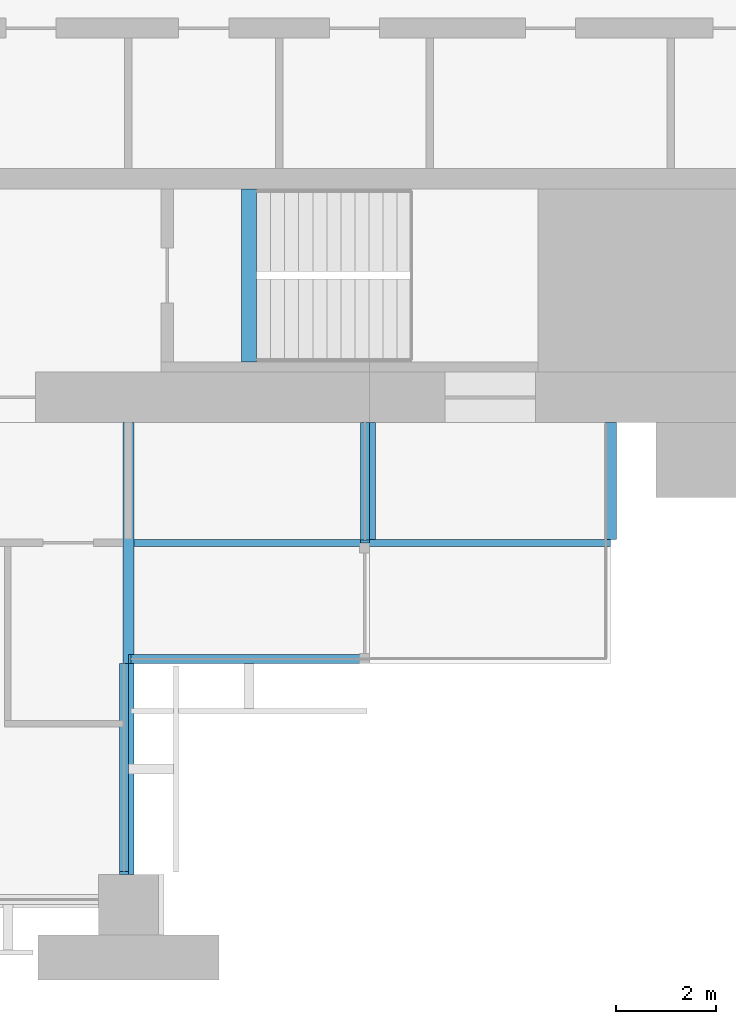
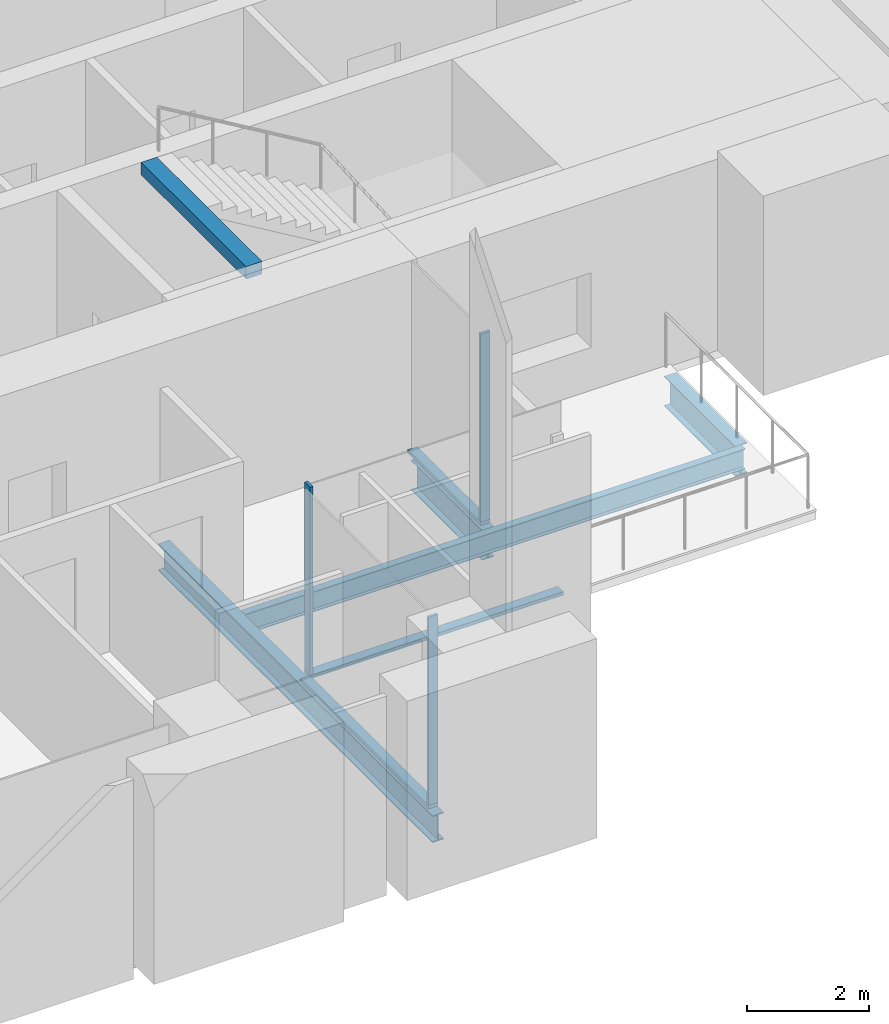
# One storey, part 4 of 14: 6 members, 5 beams, 3 elements without a shape of their own.
"""IFC4 building model written with IfcOpenShell, lengths in metres."""

from ifc_helpers import new_model, si_unit, direction, frame, origin, origin_2d, place, context, subcontext, project, spatial, rectangle, i_section, extrude, material, material_profile, profile_set, type_object, element, aggregate, save


model = new_model("IFC4")

# Units and contexts
model_context = context("Model", 3, precision=1e-05, world=origin(), true_north=direction((0.0, 1.0)))
body_context = subcontext(model_context, "Body", "Model", "MODEL_VIEW")
ifc_project = project(units=[si_unit("LENGTHUNIT", "METRE"), si_unit("AREAUNIT", "SQUARE_METRE"), si_unit("VOLUMEUNIT", "CUBIC_METRE"), si_unit("PLANEANGLEUNIT", "RADIAN"), si_unit("MASSUNIT", "GRAM", prefix="KILO")], contexts=[model_context])

# Site, building, storey
site_placement = place(None, origin())
site = spatial("IfcSite", under=ifc_project, at=site_placement, CompositionType="ELEMENT")
building_placement = place(site_placement, origin())
building = spatial("IfcBuilding", under=site, at=building_placement, Name="Baori Bourse Tower", CompositionType="ELEMENT")
storey_placement = place(building_placement, frame((0.0, 0.0, 120.10009765625)))
storey = spatial("IfcBuildingStorey", under=building, at=storey_placement, Name="L25", CompositionType="ELEMENT", Elevation=120.10009765625)

# Curtain wall, member
ifc_material_1 = material(Name="Pale anodised aluminium", Category="aluminium")
curtain_wall_type = type_object("IfcCurtainWallType", Name="CW2 Curtain wall", PredefinedType="NOTDEFINED", material=ifc_material_1)
curtain_wall_1_placement = place(storey_placement, origin())
curtain_wall_1 = element("IfcCurtainWall", 1, at=curtain_wall_1_placement, inside=storey, type_object=curtain_wall_type, Name="Curtain wall CW2 L25 12", PredefinedType="NOTDEFINED")
ifc_material_2 = material(Name="Pale anodised aluminium", Category="aluminium")
ifc_material_profile_1 = material_profile(ifc_material_2, rectangle(XDim=0.179931640625, YDim=0.054931640625, at=origin_2d()), Name="Mullion 55x180")
ifc_profile_set_1 = profile_set([ifc_material_profile_1], Name="Pale anodised aluminium")
member_type_1 = type_object("IfcMemberType", Name="CW2 Curtain wall mullion", PredefinedType="MULLION", material=ifc_profile_set_1)
member_1_placement = place(storey_placement, frame((43.110107421875, 0.62744140625, 0.06982421875), z_axis=(0.0, 0.0, 1.0), x_axis=(-1.0, 0.0, 0.0)))
member_1 = element("IfcMember", 2, at=member_1_placement, type_object=member_type_1, Name="Curtain wall CW2 mullion", PredefinedType="MULLION", context=body_context, shape_type="SweptSolid", body=[
    extrude(rectangle(XDim=0.179931640625, YDim=0.054931640625, at=origin_2d()), origin(), (0.0, 0.0, 1.0), 3.77001953125),
])

curtain_wall_2_placement = place(storey_placement, origin())
curtain_wall_2 = element("IfcCurtainWall", 3, at=curtain_wall_2_placement, inside=storey, type_object=curtain_wall_type, Name="Curtain wall CW2 L25 13", PredefinedType="NOTDEFINED")
member_2_placement = place(storey_placement, frame((43.2275390625, 4.889892578125, 0.06982421875), z_axis=(0.0, 0.0, 1.0), x_axis=(0.0, 1.0, 0.0)))
member_2 = element("IfcMember", 4, at=member_2_placement, type_object=member_type_1, Name="Curtain wall CW2 mullion", PredefinedType="MULLION", context=body_context, shape_type="SweptSolid", body=[
    extrude(rectangle(XDim=0.179931640625, YDim=0.054931640625, at=origin_2d()), origin(), (0.0, 0.0, 1.0), 3.77001953125),
])

curtain_wall_3_placement = place(storey_placement, origin())
curtain_wall_3 = element("IfcCurtainWall", 5, at=curtain_wall_3_placement, inside=storey, type_object=curtain_wall_type, Name="Curtain wall CW2 L25 14", PredefinedType="NOTDEFINED")
member_3_placement = place(storey_placement, frame((47.909912109375, 7.2275390625, 0.06982421875), z_axis=(0.0, 0.0, 1.0), x_axis=(-1.0, 0.0, 0.0)))
member_3 = element("IfcMember", 6, at=member_3_placement, type_object=member_type_1, Name="Curtain wall CW2 mullion", PredefinedType="MULLION", context=body_context, shape_type="SweptSolid", body=[
    extrude(rectangle(XDim=0.179931640625, YDim=0.054931640625, at=origin_2d()), origin(), (0.0, 0.0, 1.0), 3.77001953125),
])

# Member
ifc_material_3 = material(Name="Pale anodised aluminium", Category="aluminium")
ifc_material_profile_2 = material_profile(ifc_material_3, rectangle(XDim=0.179931640625, YDim=0.070068359375, at=origin_2d()), Name="Transom 70x180")
ifc_profile_set_2 = profile_set([ifc_material_profile_2], Name="Pale anodised aluminium")
member_type_2 = type_object("IfcMemberType", Name="CW2 Curtain wall transom", PredefinedType="USERDEFINED", material=ifc_profile_set_2)
member_4_placement = place(storey_placement, frame((43.110107421875, 0.60009765625, 0.034912109375), z_axis=(0.0, 1.0, 0.0), x_axis=(-1.0, 0.0, 0.0)))
member_4 = element("IfcMember", 7, at=member_4_placement, type_object=member_type_2, Name="Curtain wall CW2 sill rail", ObjectType="TRANSOM", PredefinedType="USERDEFINED", context=body_context, shape_type="SweptSolid", body=[
    extrude(rectangle(XDim=0.179931640625, YDim=0.070068359375, at=origin_2d()), origin(), (0.0, 0.0, 1.0), 4.199951171875),
])

aggregate(curtain_wall_1, [member_4, member_1])

member_5_placement = place(storey_placement, frame((43.199951171875, 4.889892578125, 0.034912109375), z_axis=(1.0, 0.0, 0.0), x_axis=(0.0, 1.0, 0.0)))
member_5 = element("IfcMember", 8, at=member_5_placement, type_object=member_type_2, Name="Curtain wall CW2 sill rail", ObjectType="TRANSOM", PredefinedType="USERDEFINED", context=body_context, shape_type="SweptSolid", body=[
    extrude(rectangle(XDim=0.179931640625, YDim=0.070068359375, at=origin_2d()), origin(), (0.0, 0.0, 1.0), 4.800048828125),
])

aggregate(curtain_wall_2, [member_5, member_2])

member_6_placement = place(storey_placement, frame((47.909912109375, 7.199951171875, 0.034912109375), z_axis=(0.0, 1.0, 0.0), x_axis=(-1.0, 0.0, 0.0)))
member_6 = element("IfcMember", 9, at=member_6_placement, type_object=member_type_2, Name="Curtain wall CW2 sill rail", ObjectType="TRANSOM", PredefinedType="USERDEFINED", context=body_context, shape_type="SweptSolid", body=[
    extrude(rectangle(XDim=0.179931640625, YDim=0.070068359375, at=origin_2d()), origin(), (0.0, 0.0, 1.0), 2.400146484375),
])

aggregate(curtain_wall_3, [member_6, member_3])

# Beams
ifc_material_4 = material(Name="Steel A992 Gr 50", Category="steel")
ifc_material_profile_3 = material_profile(ifc_material_4, i_section(OverallWidth=0.227783203125, OverallDepth=0.60205078125, WebThickness=0.010498046875, FlangeThickness=0.014892578125, at=origin_2d()), Name="W24x68")
ifc_profile_set_3 = profile_set([ifc_material_profile_3], Name="Steel A992 Gr 50")
beam_type_1 = type_object("IfcBeamType", Name="Core bracket W24x68", PredefinedType="BEAM", material=ifc_profile_set_3)
for number, where, z_axis, x_axis, name in (
    (10, (48.0, 7.270263671875, -0.461181640625), (0.0, 1.0, 0.0), (-1.0, 0.0, 0.0), "Core bracket L25"),
    (11, (52.800048828125, 7.270263671875, -0.461181640625), (0.0, 1.0, 0.0), (-1.0, 0.0, 0.0), "Core bracket L25"),
):
    element("IfcBeam", number, at=place(storey_placement, frame(where, z_axis=z_axis, x_axis=x_axis)), inside=storey, type_object=beam_type_1, Name=name, PredefinedType="BEAM", context=body_context, shape_type="SweptSolid", body=[
        extrude(i_section(OverallWidth=0.227783203125, OverallDepth=0.60205078125, WebThickness=0.010498046875, FlangeThickness=0.014892578125, at=origin_2d()), origin(), (0.0, 0.0, 1.0), 2.329833984375),
    ])
ifc_material_5 = material(Name="Steel A992 Gr 50", Category="steel")
ifc_material_profile_4 = material_profile(ifc_material_5, i_section(OverallWidth=0.21240234375, OverallDepth=0.54345703125, WebThickness=0.01318359375, FlangeThickness=0.021240234375, at=origin_2d()), Name="W21x83")
ifc_profile_set_4 = profile_set([ifc_material_profile_4], Name="Steel A992 Gr 50")
beam_type_2 = type_object("IfcBeamType", Name="Floor beam W21x83", PredefinedType="BEAM", material=ifc_profile_set_4)
beam_1_placement = place(storey_placement, frame((43.199951171875, 0.60009765625, -0.431884765625), z_axis=(0.0, 1.0, 0.0), x_axis=(-1.0, 0.0, 0.0)))
element("IfcBeam", 12, at=beam_1_placement, inside=storey, type_object=beam_type_2, Name="Floor beam L25", PredefinedType="BEAM", context=body_context, shape_type="SweptSolid", body=[
    extrude(i_section(OverallWidth=0.21240234375, OverallDepth=0.54345703125, WebThickness=0.01318359375, FlangeThickness=0.021240234375, at=origin_2d()), origin(), (0.0, 0.0, 1.0), 9.0),
])
ifc_material_6 = material(Name="Concrete f'c 50 MPa", Category="concrete")
ifc_material_profile_5 = material_profile(ifc_material_6, rectangle(XDim=0.300048828125, YDim=0.25, at=origin_2d()), Name="RC 300x250")
ifc_profile_set_5 = profile_set([ifc_material_profile_5], Name="Concrete f'c 50 MPa")
beam_type_3 = type_object("IfcBeamType", Name="Stair nib beam RC 300x250", PredefinedType="BEAM", material=ifc_profile_set_5)
beam_2_placement = place(storey_placement, frame((45.60009765625, 10.800048828125, 3.71484375), z_axis=(0.0, 1.0, 0.0), x_axis=(-1.0, 0.0, 0.0)))
element("IfcBeam", 13, at=beam_2_placement, inside=storey, type_object=beam_type_3, Name="Stair EA nib beam L26", PredefinedType="BEAM", context=body_context, shape_type="SweptSolid", body=[
    extrude(rectangle(XDim=0.300048828125, YDim=0.25, at=origin_2d()), origin(), (0.0, 0.0, 1.0), 3.449951171875),
])
ifc_material_7 = material(Name="Steel A992 Gr 50", Category="steel")
ifc_material_profile_6 = material_profile(ifc_material_7, i_section(OverallWidth=0.140380859375, OverallDepth=0.40380859375, WebThickness=0.007080078125, FlangeThickness=0.01123046875, at=origin_2d()), Name="W16x31")
ifc_profile_set_6 = profile_set([ifc_material_profile_6], Name="Steel A992 Gr 50")
beam_type_4 = type_object("IfcBeamType", Name="Trimmer beam W16x31", PredefinedType="BEAM", material=ifc_profile_set_6)
beam_3_placement = place(storey_placement, frame((43.30615234375, 7.199951171875, -0.362060546875), z_axis=(1.0, 0.0, 0.0), x_axis=(0.0, 1.0, 0.0)))
element("IfcBeam", 14, at=beam_3_placement, inside=storey, type_object=beam_type_4, Name="Trimmer beam L25", PredefinedType="BEAM", context=body_context, shape_type="SweptSolid", body=[
    extrude(i_section(OverallWidth=0.140380859375, OverallDepth=0.40380859375, WebThickness=0.007080078125, FlangeThickness=0.01123046875, at=origin_2d()), origin(), (0.0, 0.0, 1.0), 9.493896484375),
])

save(model, "model.ifc")
